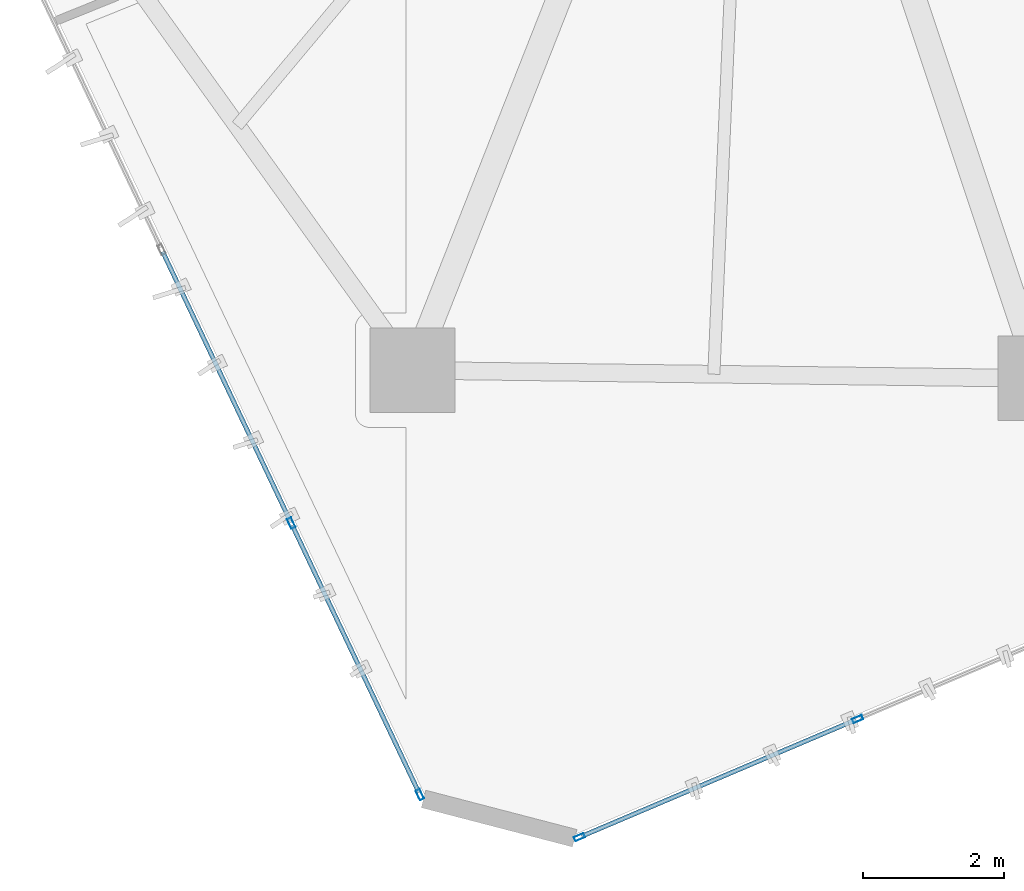
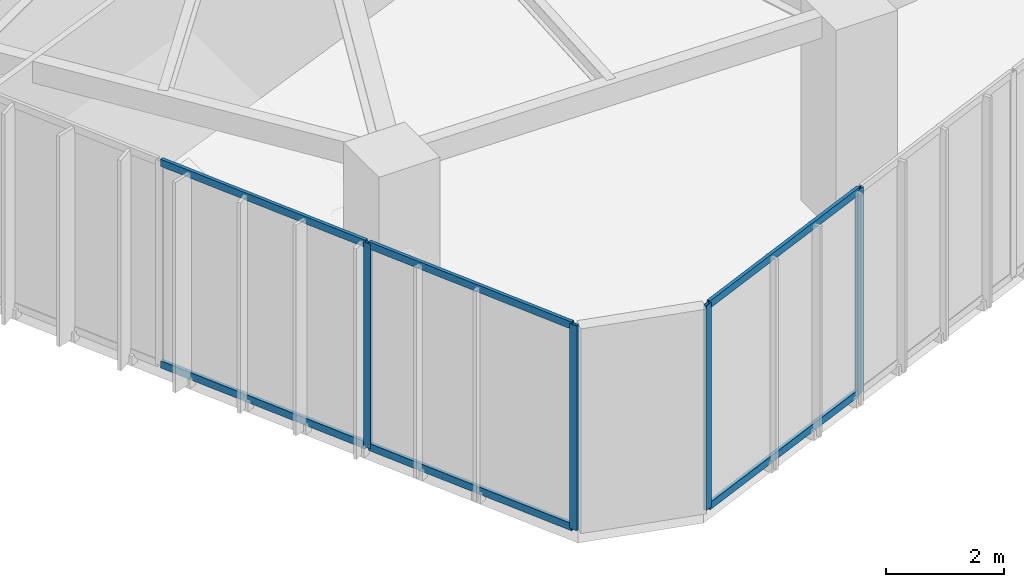
# One storey, part 2 of 28: 10 members, 2 elements without a shape of their own.
"""IFC4 building model written with IfcOpenShell, lengths in metres."""

from ifc_helpers import new_model, si_unit, direction, frame, origin, origin_2d, place, context, subcontext, project, spatial, hollow_rectangle, extrude, source, transform, mapped, material, layer, layer_set, material_profile, profile_set, type_object, type_shapes, element, aggregate, save


model = new_model("IFC4")

# Units and contexts
model_context = context("Model", 3, precision=1e-05, world=origin(), true_north=direction((0.0, 1.0)))
body_context = subcontext(model_context, "Body", "Model", "MODEL_VIEW")
ifc_project = project(units=[si_unit("LENGTHUNIT", "METRE"), si_unit("AREAUNIT", "SQUARE_METRE"), si_unit("VOLUMEUNIT", "CUBIC_METRE"), si_unit("PLANEANGLEUNIT", "RADIAN"), si_unit("MASSUNIT", "GRAM", prefix="KILO")], contexts=[model_context])

# Site, building, storey
site_placement = place(None, origin())
site = spatial("IfcSite", under=ifc_project, at=site_placement, CompositionType="ELEMENT")
building_placement = place(site_placement, origin())
building = spatial("IfcBuilding", under=site, at=building_placement, Name="Talar Marvaseh", CompositionType="ELEMENT")
storey_placement = place(building_placement, frame((0.0, 0.0, 157.800048828125)))
storey = spatial("IfcBuildingStorey", under=building, at=storey_placement, Name="L41", CompositionType="ELEMENT", Elevation=157.800048828125)

# Curtain wall, members
ifc_material = material(Name="Architectural Aluminium", Category="aluminium")
ifc_layer = layer(ifc_material, 0.239990234375)
ifc_layer_set = layer_set([ifc_layer], Name="Architectural Aluminium")
curtain_wall_type = type_object("IfcCurtainWallType", Name="Observation Sky Gallery Structural Glass Wall", PredefinedType="NOTDEFINED", material=ifc_layer_set)
curtain_wall_1_placement = place(storey_placement, origin())
curtain_wall_1 = element("IfcCurtainWall", 1, at=curtain_wall_1_placement, inside=storey, type_object=curtain_wall_type, Name="L41 Observation Sky Gallery Structural Glass Wall", PredefinedType="NOTDEFINED")
ifc_material_profile_1 = material_profile(ifc_material, hollow_rectangle(XDim=0.06494140625, YDim=0.14990234375, WallThickness=0.00390625, at=origin_2d()), Name="RHS150x65x4")
ifc_profile_set_1 = profile_set([ifc_material_profile_1], Name="Architectural Aluminium")
member_type_1 = type_object("IfcMemberType", Name="Unitised Curtain Wall Slim Mullion RHS150x65x4", PredefinedType="MULLION", material=ifc_profile_set_1)
shared_shape_1 = source(origin(), body_context, "Body", "SweptSolid", [
    extrude(hollow_rectangle(XDim=0.06494140625, YDim=0.14990234375, WallThickness=0.00390625, at=origin_2d()), origin(), (0.0, 0.0, 1.0), 4.25),
])
type_shapes(member_type_1, [shared_shape_1])
member_1_placement = place(storey_placement, frame((13.99560546875, 7.27392578125, 0.0), z_axis=(0.0, 0.0, 1.0), x_axis=(-0.903736536028, -0.428089095221, 0.0)))
member_1 = element("IfcMember", 2, at=member_1_placement, type_object=member_type_1, Name="CW-OBS mullion 1", PredefinedType="MULLION", context=body_context, shape_type="MappedRepresentation", body=[
    mapped(shared_shape_1, transform((0.0, 0.0, 0.0), x_axis=(1.0, 0.0, 0.0), y_axis=(0.0, 1.0, 0.0), z_axis=(0.0, 0.0, 1.0), scale=1.0)),
])
member_2_placement = place(storey_placement, frame((12.16943359375, 11.128662109375, 0.0), z_axis=(0.0, 0.0, 1.0), x_axis=(-0.903736536028, -0.428089095221, 0.0)))
member_2 = element("IfcMember", 3, at=member_2_placement, type_object=member_type_1, Name="CW-OBS mullion 2", PredefinedType="MULLION", context=body_context, shape_type="MappedRepresentation", body=[
    mapped(shared_shape_1, transform((0.0, 0.0, 0.0), x_axis=(1.0, 0.0, 0.0), y_axis=(0.0, 1.0, 0.0), z_axis=(0.0, 0.0, 1.0), scale=1.0)),
])

curtain_wall_2_placement = place(storey_placement, origin())
curtain_wall_2 = element("IfcCurtainWall", 4, at=curtain_wall_2_placement, inside=storey, type_object=curtain_wall_type, Name="L41 Observation Sky Gallery Structural Glass Wall", PredefinedType="NOTDEFINED")
member_3_placement = place(storey_placement, frame((20.2119140625, 8.34716796875, 0.0), z_axis=(0.0, 0.0, 1.0), x_axis=(0.390873897571, -0.920444238505, 0.0)))
member_3 = element("IfcMember", 5, at=member_3_placement, type_object=member_type_1, Name="CW-OBS mullion 5", PredefinedType="MULLION", context=body_context, shape_type="MappedRepresentation", body=[
    mapped(shared_shape_1, transform((0.0, 0.0, 0.0), x_axis=(1.0, 0.0, 0.0), y_axis=(0.0, 1.0, 0.0), z_axis=(0.0, 0.0, 1.0), scale=1.0)),
])
member_4_placement = place(storey_placement, frame((16.26220703125, 6.669921875, 0.0), z_axis=(0.0, 0.0, 1.0), x_axis=(0.390873897571, -0.920444238505, 0.0)))
member_4 = element("IfcMember", 6, at=member_4_placement, type_object=member_type_1, Name="CW-OBS mullion 6", PredefinedType="MULLION", context=body_context, shape_type="MappedRepresentation", body=[
    mapped(shared_shape_1, transform((0.0, 0.0, 0.0), x_axis=(1.0, 0.0, 0.0), y_axis=(0.0, 1.0, 0.0), z_axis=(0.0, 0.0, 1.0), scale=1.0)),
])

# Member
ifc_material_profile_2 = material_profile(ifc_material, hollow_rectangle(XDim=0.06494140625, YDim=0.14990234375, WallThickness=0.00390625, at=origin_2d()), Name="RHS150x65x4")
ifc_profile_set_2 = profile_set([ifc_material_profile_2], Name="Architectural Aluminium")
member_type_2 = type_object("IfcMemberType", Name="Unitised Curtain Wall Slim Transom RHS150x65x4", PredefinedType="USERDEFINED", material=ifc_profile_set_2)
shared_shape_2 = source(origin(), body_context, "Body", "SweptSolid", [
    extrude(hollow_rectangle(XDim=0.06494140625, YDim=0.14990234375, WallThickness=0.00390625, at=origin_2d()), origin(), (0.0, 0.0, 1.0), 4.20068359375),
])
member_5_placement = place(storey_placement, frame((13.981689453125, 7.30322265625, 0.032470703125), z_axis=(-0.42811882381, 0.903722453356, 0.0), x_axis=(-0.903722453356, -0.42811882381, 0.0)))
member_5 = element("IfcMember", 7, at=member_5_placement, type_object=member_type_2, Name="CW-OBS transom 1.1", ObjectType="TRANSOM", PredefinedType="USERDEFINED", context=body_context, shape_type="MappedRepresentation", body=[
    mapped(shared_shape_2, transform((0.0, 0.0, 0.0), x_axis=(1.0, 0.0, 0.0), y_axis=(0.0, 1.0, 0.0), z_axis=(0.0, 0.0, 1.0), scale=1.0)),
])

member_6_placement = place(storey_placement, frame((13.981689453125, 7.30322265625, 4.217529296875), z_axis=(-0.42811882381, 0.903722453356, 0.0), x_axis=(-0.903722453356, -0.42811882381, 0.0)))
member_6 = element("IfcMember", 8, at=member_6_placement, type_object=member_type_2, Name="CW-OBS transom 1.2", ObjectType="TRANSOM", PredefinedType="USERDEFINED", context=body_context, shape_type="MappedRepresentation", body=[
    mapped(shared_shape_2, transform((0.0, 0.0, 0.0), x_axis=(1.0, 0.0, 0.0), y_axis=(0.0, 1.0, 0.0), z_axis=(0.0, 0.0, 1.0), scale=1.0)),
])

shared_shape_3 = source(origin(), body_context, "Body", "SweptSolid", [
    extrude(hollow_rectangle(XDim=0.06494140625, YDim=0.14990234375, WallThickness=0.00390625, at=origin_2d()), origin(), (0.0, 0.0, 1.0), 4.23291015625),
])
member_7_placement = place(storey_placement, frame((12.155517578125, 11.158203125, 0.032470703125), z_axis=(-0.428078906737, 0.90374136212, 0.0), x_axis=(-0.90374136212, -0.428078906737, 0.0)))
member_7 = element("IfcMember", 9, at=member_7_placement, type_object=member_type_2, Name="CW-OBS transom 2.1", ObjectType="TRANSOM", PredefinedType="USERDEFINED", context=body_context, shape_type="MappedRepresentation", body=[
    mapped(shared_shape_3, transform((0.0, 0.0, 0.0), x_axis=(1.0, 0.0, 0.0), y_axis=(0.0, 1.0, 0.0), z_axis=(0.0, 0.0, 1.0), scale=1.0)),
])

member_8_placement = place(storey_placement, frame((12.155517578125, 11.158203125, 4.217529296875), z_axis=(-0.428078906737, 0.90374136212, 0.0), x_axis=(-0.90374136212, -0.428078906737, 0.0)))
member_8 = element("IfcMember", 10, at=member_8_placement, type_object=member_type_2, Name="CW-OBS transom 2.2", ObjectType="TRANSOM", PredefinedType="USERDEFINED", context=body_context, shape_type="MappedRepresentation", body=[
    mapped(shared_shape_3, transform((0.0, 0.0, 0.0), x_axis=(1.0, 0.0, 0.0), y_axis=(0.0, 1.0, 0.0), z_axis=(0.0, 0.0, 1.0), scale=1.0)),
])

aggregate(curtain_wall_1, [member_1, member_2, member_5, member_6, member_7, member_8])

shared_shape_4 = source(origin(), body_context, "Body", "SweptSolid", [
    extrude(hollow_rectangle(XDim=0.06494140625, YDim=0.14990234375, WallThickness=0.00390625, at=origin_2d()), origin(), (0.0, 0.0, 1.0), 4.225830078125),
])
type_shapes(member_type_2, [shared_shape_2, shared_shape_3, shared_shape_4])
member_9_placement = place(storey_placement, frame((20.181884765625, 8.33447265625, 0.032470703125), z_axis=(-0.920436949324, -0.390891061959, 0.0), x_axis=(0.390891061959, -0.920436949324, 0.0)))
member_9 = element("IfcMember", 11, at=member_9_placement, type_object=member_type_2, Name="CW-OBS transom 5.1", ObjectType="TRANSOM", PredefinedType="USERDEFINED", context=body_context, shape_type="MappedRepresentation", body=[
    mapped(shared_shape_4, transform((0.0, 0.0, 0.0), x_axis=(1.0, 0.0, 0.0), y_axis=(0.0, 1.0, 0.0), z_axis=(0.0, 0.0, 1.0), scale=1.0)),
])

member_10_placement = place(storey_placement, frame((20.181884765625, 8.33447265625, 4.217529296875), z_axis=(-0.920436949324, -0.390891061959, 0.0), x_axis=(0.390891061959, -0.920436949324, 0.0)))
member_10 = element("IfcMember", 12, at=member_10_placement, type_object=member_type_2, Name="CW-OBS transom 5.2", ObjectType="TRANSOM", PredefinedType="USERDEFINED", context=body_context, shape_type="MappedRepresentation", body=[
    mapped(shared_shape_4, transform((0.0, 0.0, 0.0), x_axis=(1.0, 0.0, 0.0), y_axis=(0.0, 1.0, 0.0), z_axis=(0.0, 0.0, 1.0), scale=1.0)),
])

aggregate(curtain_wall_2, [member_3, member_4, member_9, member_10])

save(model, "model.ifc")
